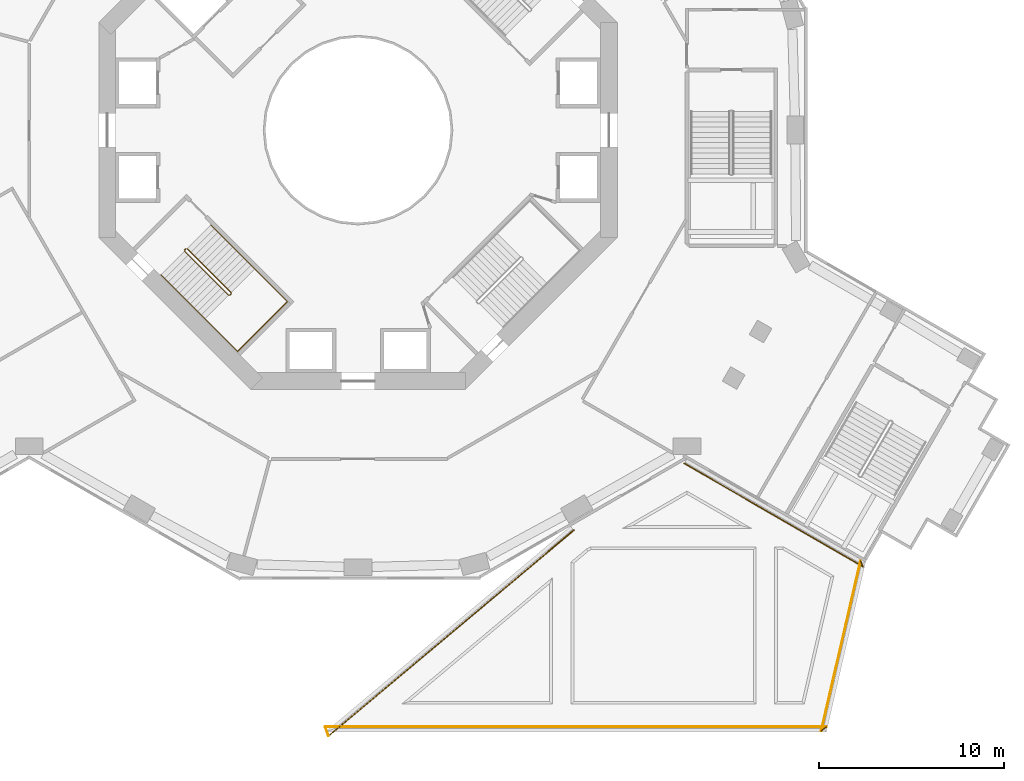
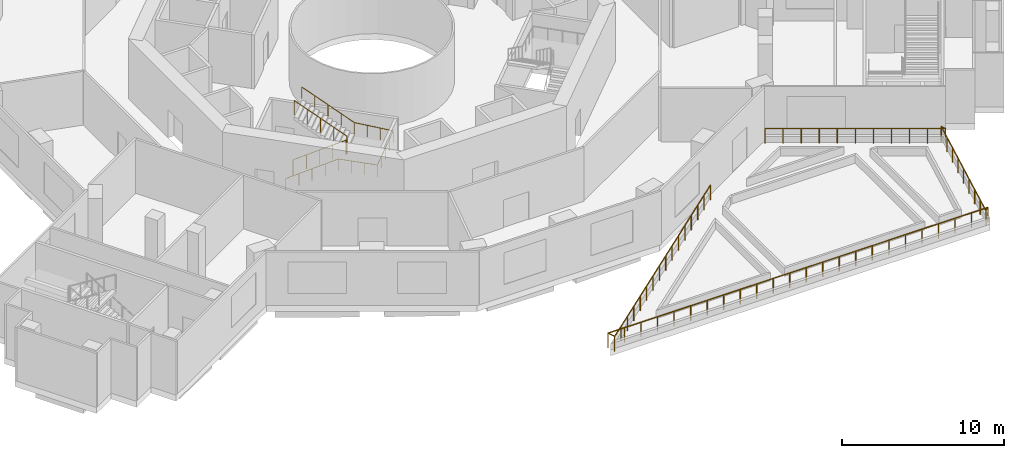
# One storey, part 17 of 21: 9 railings.
"""IFC4 building model written with IfcOpenShell, lengths in metres."""

from ifc_helpers import new_model, si_unit, direction, frame, origin, origin_2d, place, context, subcontext, project, spatial, circle, extrude, material, type_object, element, save


model = new_model("IFC4")

# Units and contexts
model_context = context("Model", 3, precision=1e-05, world=origin(), true_north=direction((0.0, 1.0)))
body_context = subcontext(model_context, "Body", "Model", "MODEL_VIEW")
ifc_project = project(units=[si_unit("LENGTHUNIT", "METRE"), si_unit("AREAUNIT", "SQUARE_METRE"), si_unit("VOLUMEUNIT", "CUBIC_METRE"), si_unit("PLANEANGLEUNIT", "RADIAN"), si_unit("MASSUNIT", "GRAM", prefix="KILO")], contexts=[model_context])

# Site, building, storey
site_placement = place(None, origin())
site = spatial("IfcSite", under=ifc_project, at=site_placement, CompositionType="ELEMENT")
building_placement = place(site_placement, origin())
building = spatial("IfcBuilding", under=site, at=building_placement, Name="Verdalira Terraces Hotel", CompositionType="ELEMENT")
storey_placement = place(building_placement, frame((0.0, 0.0, 19.0)))
storey = spatial("IfcBuildingStorey", under=building, at=storey_placement, Name="L03", CompositionType="ELEMENT", Elevation=19.0)

# Railings
ifc_material_1 = material(Name="Stainless steel", Category="steel")
railing_type_1 = type_object("IfcRailingType", Name="Stair guard 1100", PredefinedType="GUARDRAIL", material=ifc_material_1)
railing_1_placement = place(storey_placement, frame((-9.369141, -6.469971, 0.0)))
element("IfcRailing", 1, at=railing_1_placement, inside=storey, type_object=railing_type_1, Name="L03 ST2 stair guard 1", PredefinedType="GUARDRAIL", context=body_context, shape_type="SweptSolid", body=[
    extrude(circle(Radius=0.023926, at=origin_2d()), frame((0.0, 0.0, 1.076172), z_axis=(0.70832698, 0.705884473, 0.0), x_axis=(-0.705884473, 0.70832698, 0.0)), (0.0, 0.0, 1.0), 0.099854),
    extrude(circle(Radius=0.023926, at=origin_2d()), frame((0.070801, 0.070557, 1.076172), z_axis=(-0.302014195, -0.602986962, 0.738372636), x_axis=(0.894118129, -0.447831187, 0.0)), (0.0, 0.0, 1.0), 0.234375),
    extrude(circle(Radius=0.023926, at=origin_2d()), frame((0.0, -0.070801, 1.249023), z_axis=(0.601505331, -0.601443524, 0.525791806), x_axis=(0.707070449, 0.707143111, 0.0)), (0.0, 0.0, 1.0), 3.949951),
    extrude(circle(Radius=0.023926, at=origin_2d()), frame((2.375977, -2.446533, 3.326172), z_axis=(1.0, 0.0, 0.0), x_axis=(0.0, 1.0, 0.0)), (0.0, 0.0, 1.0), 0.070557),
    extrude(circle(Radius=0.023926, at=origin_2d()), frame((2.446533, -2.446533, 3.326172), z_axis=(0.70832698, 0.705884473, 0.0), x_axis=(-0.705884473, 0.70832698, 0.0)), (0.0, 0.0, 1.0), 0.099854),
    extrude(circle(Radius=0.023926, at=origin_2d()), frame((2.517334, -2.375977, 3.326172), z_axis=(0.0, 0.378582013, 0.92556775), x_axis=(-1.0, 0.0, 0.0)), (0.0, 0.0, 1.0), 0.187012),
    extrude(circle(Radius=0.023926, at=origin_2d()), frame((2.517334, -2.305176, 3.499023), z_axis=(-0.601505331, 0.601443524, 0.525791806), x_axis=(-0.707070449, -0.707143111, 0.0)), (0.0, 0.0, 1.0), 3.949951),
    extrude(circle(Radius=0.020996, at=origin_2d()), origin(), (0.0, 0.0, 1.0), 1.052002),
    extrude(circle(Radius=0.020996, at=origin_2d()), frame((0.070801, 0.070557, 0.0)), (0.0, 0.0, 1.0), 1.052002),
    extrude(circle(Radius=0.020996, at=origin_2d()), frame((0.0, -0.070801, 0.173096)), (0.0, 0.0, 1.0), 1.052002),
    extrude(circle(Radius=0.020996, at=origin_2d()), frame((0.593994, -0.664795, 0.692383)), (0.0, 0.0, 1.0), 1.052002),
    extrude(circle(Radius=0.020996, at=origin_2d()), frame((1.187988, -1.258789, 1.211426)), (0.0, 0.0, 1.0), 1.052002),
    extrude(circle(Radius=0.020996, at=origin_2d()), frame((1.781982, -1.852539, 1.730713)), (0.0, 0.0, 1.0), 1.052002),
    extrude(circle(Radius=0.020996, at=origin_2d()), frame((2.375977, -2.446533, 2.25)), (0.0, 0.0, 1.0), 1.052002),
    extrude(circle(Radius=0.020996, at=origin_2d()), frame((2.446533, -2.446533, 2.25)), (0.0, 0.0, 1.0), 1.052002),
    extrude(circle(Radius=0.020996, at=origin_2d()), frame((2.517334, -2.375977, 2.25)), (0.0, 0.0, 1.0), 1.052002),
    extrude(circle(Radius=0.020996, at=origin_2d()), frame((2.517334, -2.305176, 2.423096)), (0.0, 0.0, 1.0), 1.052002),
    extrude(circle(Radius=0.020996, at=origin_2d()), frame((1.92334, -1.711182, 2.942383)), (0.0, 0.0, 1.0), 1.052002),
    extrude(circle(Radius=0.020996, at=origin_2d()), frame((1.329346, -1.117188, 3.461426)), (0.0, 0.0, 1.0), 1.052002),
    extrude(circle(Radius=0.020996, at=origin_2d()), frame((0.735352, -0.523438, 3.980713)), (0.0, 0.0, 1.0), 1.052002),
    extrude(circle(Radius=0.020996, at=origin_2d()), frame((0.141357, 0.070557, 4.5)), (0.0, 0.0, 1.0), 1.052002),
])
ifc_material_2 = material(Name="Stainless steel", Category="steel")
railing_type_2 = type_object("IfcRailingType", Name="Stair handrail 900", PredefinedType="HANDRAIL", material=ifc_material_2)
railing_2_placement = place(storey_placement, frame((-10.641846, -7.813477, 0.173096)))
element("IfcRailing", 2, at=railing_2_placement, inside=storey, type_object=railing_type_2, Name="L03 ST2 stair handrail 1", PredefinedType="HANDRAIL", context=body_context, shape_type="SweptSolid", body=[
    extrude(circle(Radius=0.023926, at=origin_2d()), frame((0.0, 0.0, 0.875977), z_axis=(0.601443524, -0.601505331, 0.525791806), x_axis=(0.707143111, 0.707070449, 0.0)), (0.0, 0.0, 1.0), 3.949951),
    extrude(circle(Radius=0.023926, at=origin_2d()), frame((2.375732, -2.375977, 2.952637), z_axis=(0.707106781, -0.707106781, 0.0), x_axis=(0.707106781, 0.707106781, 0.0)), (0.0, 0.0, 1.0), 2.48999),
    extrude(circle(Radius=0.023926, at=origin_2d()), frame((4.136475, -4.136719, 2.952637), z_axis=(0.707106781, 0.707106781, 0.0), x_axis=(-0.707106781, 0.707106781, 0.0)), (0.0, 0.0, 1.0), 3.800049),
    extrude(circle(Radius=0.023926, at=origin_2d()), frame((6.823486, -1.449707, 2.952637), z_axis=(-0.705404483, 0.705404483, 0.069347168), x_axis=(-0.707106781, -0.707106781, 0.0)), (0.0, 0.0, 1.0), 2.496094),
    extrude(circle(Radius=0.023926, at=origin_2d()), frame((5.062744, 0.311035, 3.125977), z_axis=(-0.601443524, 0.601505331, 0.525791806), x_axis=(-0.707143111, -0.707070449, 0.0)), (0.0, 0.0, 1.0), 3.949951),
    extrude(circle(Radius=0.020996, at=origin_2d()), origin(), (0.0, 0.0, 1.0), 0.851807),
    extrude(circle(Radius=0.020996, at=origin_2d()), frame((0.593994, -0.593994, 0.519287)), (0.0, 0.0, 1.0), 0.851807),
    extrude(circle(Radius=0.020996, at=origin_2d()), frame((1.187988, -1.187988, 1.038574)), (0.0, 0.0, 1.0), 0.851807),
    extrude(circle(Radius=0.020996, at=origin_2d()), frame((1.781738, -1.781982, 1.557617)), (0.0, 0.0, 1.0), 0.851807),
    extrude(circle(Radius=0.020996, at=origin_2d()), frame((2.375732, -2.375977, 2.076904)), (0.0, 0.0, 1.0), 0.851807),
    extrude(circle(Radius=0.020996, at=origin_2d()), frame((2.962646, -2.962891, 2.076904)), (0.0, 0.0, 1.0), 0.851807),
    extrude(circle(Radius=0.020996, at=origin_2d()), frame((3.549561, -3.549805, 2.076904)), (0.0, 0.0, 1.0), 0.851807),
    extrude(circle(Radius=0.020996, at=origin_2d()), frame((4.136475, -4.136719, 2.076904)), (0.0, 0.0, 1.0), 0.851807),
    extrude(circle(Radius=0.020996, at=origin_2d()), frame((4.808105, -3.464844, 2.076904)), (0.0, 0.0, 1.0), 0.851807),
    extrude(circle(Radius=0.020996, at=origin_2d()), frame((5.47998, -2.793213, 2.076904)), (0.0, 0.0, 1.0), 0.851807),
    extrude(circle(Radius=0.020996, at=origin_2d()), frame((6.151855, -2.121582, 2.076904)), (0.0, 0.0, 1.0), 0.851807),
    extrude(circle(Radius=0.020996, at=origin_2d()), frame((6.823486, -1.449707, 2.076904)), (0.0, 0.0, 1.0), 0.851807),
    extrude(circle(Radius=0.020996, at=origin_2d()), frame((6.236572, -0.862793, 2.134521)), (0.0, 0.0, 1.0), 0.851807),
    extrude(circle(Radius=0.020996, at=origin_2d()), frame((5.649658, -0.275879, 2.192383)), (0.0, 0.0, 1.0), 0.851807),
    extrude(circle(Radius=0.020996, at=origin_2d()), frame((5.062744, 0.311035, 2.25)), (0.0, 0.0, 1.0), 0.851807),
    extrude(circle(Radius=0.020996, at=origin_2d()), frame((4.46875, 0.905029, 2.769287)), (0.0, 0.0, 1.0), 0.851807),
    extrude(circle(Radius=0.020996, at=origin_2d()), frame((3.875, 1.499023, 3.288574)), (0.0, 0.0, 1.0), 0.851807),
    extrude(circle(Radius=0.020996, at=origin_2d()), frame((3.281006, 2.093018, 3.807617)), (0.0, 0.0, 1.0), 0.851807),
    extrude(circle(Radius=0.020996, at=origin_2d()), frame((2.687012, 2.687012, 4.326904)), (0.0, 0.0, 1.0), 0.851807),
])
ifc_material_3 = material(Name="Clear laminated glass", Category="glass")
railing_type_3 = type_object("IfcRailingType", Name="Terrace glass guard 1120", PredefinedType="GUARDRAIL", material=ifc_material_3)
railing_3_placement = place(storey_placement, frame((11.647705, -21.604736, 0.0)))
element("IfcRailing", 3, at=railing_3_placement, inside=storey, type_object=railing_type_3, Name="Terrace guard", PredefinedType="GUARDRAIL", context=body_context, shape_type="SweptSolid", body=[
    extrude(circle(Radius=0.023926, at=origin_2d()), frame((0.0, 0.0, 1.096191), z_axis=(-0.766038963, -0.642794141, 0.0), x_axis=(0.642794141, -0.766038963, 0.0)), (0.0, 0.0, 1.0), 17.283691),
    extrude(circle(Radius=0.020996, at=origin_2d()), origin(), (0.0, 0.0, 1.0), 1.072021),
    extrude(circle(Radius=0.020996, at=origin_2d()), frame((-0.882568, -0.740723, 0.0)), (0.0, 0.0, 1.0), 1.072021),
    extrude(circle(Radius=0.020996, at=origin_2d()), frame((-1.765381, -1.481201, 0.0)), (0.0, 0.0, 1.0), 1.072021),
    extrude(circle(Radius=0.020996, at=origin_2d()), frame((-2.647949, -2.221924, 0.0)), (0.0, 0.0, 1.0), 1.072021),
    extrude(circle(Radius=0.020996, at=origin_2d()), frame((-3.530762, -2.962646, 0.0)), (0.0, 0.0, 1.0), 1.072021),
    extrude(circle(Radius=0.020996, at=origin_2d()), frame((-4.41333, -3.703369, 0.0)), (0.0, 0.0, 1.0), 1.072021),
    extrude(circle(Radius=0.020996, at=origin_2d()), frame((-5.295898, -4.443848, 0.0)), (0.0, 0.0, 1.0), 1.072021),
    extrude(circle(Radius=0.020996, at=origin_2d()), frame((-6.178711, -5.18457, 0.0)), (0.0, 0.0, 1.0), 1.072021),
    extrude(circle(Radius=0.020996, at=origin_2d()), frame((-7.061279, -5.925293, 0.0)), (0.0, 0.0, 1.0), 1.072021),
    extrude(circle(Radius=0.020996, at=origin_2d()), frame((-7.944092, -6.666016, 0.0)), (0.0, 0.0, 1.0), 1.072021),
    extrude(circle(Radius=0.020996, at=origin_2d()), frame((-8.82666, -7.406494, 0.0)), (0.0, 0.0, 1.0), 1.072021),
    extrude(circle(Radius=0.020996, at=origin_2d()), frame((-9.709229, -8.147217, 0.0)), (0.0, 0.0, 1.0), 1.072021),
    extrude(circle(Radius=0.020996, at=origin_2d()), frame((-10.592041, -8.887939, 0.0)), (0.0, 0.0, 1.0), 1.072021),
    extrude(circle(Radius=0.020996, at=origin_2d()), frame((-11.474609, -9.628662, 0.0)), (0.0, 0.0, 1.0), 1.072021),
    extrude(circle(Radius=0.020996, at=origin_2d()), frame((-12.357422, -10.369141, 0.0)), (0.0, 0.0, 1.0), 1.072021),
    extrude(circle(Radius=0.020996, at=origin_2d()), frame((-13.23999, -11.109863, 0.0)), (0.0, 0.0, 1.0), 1.072021),
])
railing_4_placement = place(storey_placement, frame((-1.592285, -32.7146, 0.0)))
element("IfcRailing", 4, at=railing_4_placement, inside=storey, type_object=railing_type_3, Name="Terrace guard", PredefinedType="GUARDRAIL", context=body_context, shape_type="SweptSolid", body=[
    extrude(circle(Radius=0.023926, at=origin_2d()), frame((0.0, 0.0, 1.096191), z_axis=(-0.342264332, 0.939603708, 0.0), x_axis=(-0.939603708, -0.342264332, 0.0)), (0.0, 0.0, 1.0), 0.526367),
    extrude(circle(Radius=0.020996, at=origin_2d()), origin(), (0.0, 0.0, 1.0), 1.072021),
    extrude(circle(Radius=0.020996, at=origin_2d()), frame((-0.180176, 0.494629, 0.0)), (0.0, 0.0, 1.0), 1.072021),
])
railing_5_placement = place(storey_placement, frame((-1.772461, -32.219971, 0.0)))
element("IfcRailing", 5, at=railing_5_placement, inside=storey, type_object=railing_type_3, Name="Terrace guard", PredefinedType="GUARDRAIL", context=body_context, shape_type="SweptSolid", body=[
    extrude(circle(Radius=0.023926, at=origin_2d()), frame((0.0, 0.0, 1.096191), z_axis=(1.0, 0.0, 0.0), x_axis=(0.0, 1.0, 0.0)), (0.0, 0.0, 1.0), 27.059326),
    extrude(circle(Radius=0.020996, at=origin_2d()), origin(), (0.0, 0.0, 1.0), 1.072021),
    extrude(circle(Radius=0.020996, at=origin_2d()), frame((1.176514, 0.0, 0.0)), (0.0, 0.0, 1.0), 1.072021),
    extrude(circle(Radius=0.020996, at=origin_2d()), frame((2.353027, 0.0, 0.0)), (0.0, 0.0, 1.0), 1.072021),
    extrude(circle(Radius=0.020996, at=origin_2d()), frame((3.529541, 0.0, 0.0)), (0.0, 0.0, 1.0), 1.072021),
    extrude(circle(Radius=0.020996, at=origin_2d()), frame((4.706055, 0.0, 0.0)), (0.0, 0.0, 1.0), 1.072021),
    extrude(circle(Radius=0.020996, at=origin_2d()), frame((5.882568, 0.0, 0.0)), (0.0, 0.0, 1.0), 1.072021),
    extrude(circle(Radius=0.020996, at=origin_2d()), frame((7.058838, 0.0, 0.0)), (0.0, 0.0, 1.0), 1.072021),
    extrude(circle(Radius=0.020996, at=origin_2d()), frame((8.235352, 0.0, 0.0)), (0.0, 0.0, 1.0), 1.072021),
    extrude(circle(Radius=0.020996, at=origin_2d()), frame((9.411865, 0.0, 0.0)), (0.0, 0.0, 1.0), 1.072021),
    extrude(circle(Radius=0.020996, at=origin_2d()), frame((10.588379, 0.0, 0.0)), (0.0, 0.0, 1.0), 1.072021),
    extrude(circle(Radius=0.020996, at=origin_2d()), frame((11.764893, 0.0, 0.0)), (0.0, 0.0, 1.0), 1.072021),
    extrude(circle(Radius=0.020996, at=origin_2d()), frame((12.941406, 0.0, 0.0)), (0.0, 0.0, 1.0), 1.072021),
    extrude(circle(Radius=0.020996, at=origin_2d()), frame((14.11792, 0.0, 0.0)), (0.0, 0.0, 1.0), 1.072021),
    extrude(circle(Radius=0.020996, at=origin_2d()), frame((15.294434, 0.0, 0.0)), (0.0, 0.0, 1.0), 1.072021),
    extrude(circle(Radius=0.020996, at=origin_2d()), frame((16.470947, 0.0, 0.0)), (0.0, 0.0, 1.0), 1.072021),
    extrude(circle(Radius=0.020996, at=origin_2d()), frame((17.647461, 0.0, 0.0)), (0.0, 0.0, 1.0), 1.072021),
    extrude(circle(Radius=0.020996, at=origin_2d()), frame((18.823975, 0.0, 0.0)), (0.0, 0.0, 1.0), 1.072021),
    extrude(circle(Radius=0.020996, at=origin_2d()), frame((20.000488, 0.0, 0.0)), (0.0, 0.0, 1.0), 1.072021),
    extrude(circle(Radius=0.020996, at=origin_2d()), frame((21.176758, 0.0, 0.0)), (0.0, 0.0, 1.0), 1.072021),
    extrude(circle(Radius=0.020996, at=origin_2d()), frame((22.353271, 0.0, 0.0)), (0.0, 0.0, 1.0), 1.072021),
    extrude(circle(Radius=0.020996, at=origin_2d()), frame((23.529785, 0.0, 0.0)), (0.0, 0.0, 1.0), 1.072021),
    extrude(circle(Radius=0.020996, at=origin_2d()), frame((24.706299, 0.0, 0.0)), (0.0, 0.0, 1.0), 1.072021),
    extrude(circle(Radius=0.020996, at=origin_2d()), frame((25.882812, 0.0, 0.0)), (0.0, 0.0, 1.0), 1.072021),
    extrude(circle(Radius=0.020996, at=origin_2d()), frame((27.059326, 0.0, 0.0)), (0.0, 0.0, 1.0), 1.072021),
])
railing_6_placement = place(storey_placement, frame((25.286865, -32.219971, 0.0)))
element("IfcRailing", 6, at=railing_6_placement, inside=storey, type_object=railing_type_3, Name="Terrace guard", PredefinedType="GUARDRAIL", context=body_context, shape_type="SweptSolid", body=[
    extrude(circle(Radius=0.023926, at=origin_2d()), frame((0.0, 0.0, 1.096191), z_axis=(-0.78243815, -0.622728304, 0.0), x_axis=(0.622728304, -0.78243815, 0.0)), (0.0, 0.0, 1.0), 0.348633),
    extrude(circle(Radius=0.020996, at=origin_2d()), origin(), (0.0, 0.0, 1.0), 1.072021),
    extrude(circle(Radius=0.020996, at=origin_2d()), frame((-0.272705, -0.217041, 0.0)), (0.0, 0.0, 1.0), 1.072021),
])
railing_7_placement = place(storey_placement, frame((25.01416, -32.437012, 0.0)))
element("IfcRailing", 7, at=railing_7_placement, inside=storey, type_object=railing_type_3, Name="Terrace guard", PredefinedType="GUARDRAIL", context=body_context, shape_type="SweptSolid", body=[
    extrude(circle(Radius=0.023926, at=origin_2d()), frame((0.0, 0.0, 1.096191), z_axis=(0.225262968, 0.974298001, 0.0), x_axis=(-0.974298001, 0.225262968, 0.0)), (0.0, 0.0, 1.0), 9.412842),
    extrude(circle(Radius=0.020996, at=origin_2d()), origin(), (0.0, 0.0, 1.0), 1.072021),
    extrude(circle(Radius=0.020996, at=origin_2d()), frame((0.265137, 1.146484, 0.0)), (0.0, 0.0, 1.0), 1.072021),
    extrude(circle(Radius=0.020996, at=origin_2d()), frame((0.530029, 2.292725, 0.0)), (0.0, 0.0, 1.0), 1.072021),
    extrude(circle(Radius=0.020996, at=origin_2d()), frame((0.795166, 3.438965, 0.0)), (0.0, 0.0, 1.0), 1.072021),
    extrude(circle(Radius=0.020996, at=origin_2d()), frame((1.060059, 4.585449, 0.0)), (0.0, 0.0, 1.0), 1.072021),
    extrude(circle(Radius=0.020996, at=origin_2d()), frame((1.325195, 5.731934, 0.0)), (0.0, 0.0, 1.0), 1.072021),
    extrude(circle(Radius=0.020996, at=origin_2d()), frame((1.590332, 6.878174, 0.0)), (0.0, 0.0, 1.0), 1.072021),
    extrude(circle(Radius=0.020996, at=origin_2d()), frame((1.855225, 8.024414, 0.0)), (0.0, 0.0, 1.0), 1.072021),
    extrude(circle(Radius=0.020996, at=origin_2d()), frame((2.120361, 9.170898, 0.0)), (0.0, 0.0, 1.0), 1.072021),
])
railing_8_placement = place(storey_placement, frame((27.134521, -23.266113, 0.0)))
element("IfcRailing", 8, at=railing_8_placement, inside=storey, type_object=railing_type_3, Name="Terrace guard", PredefinedType="GUARDRAIL", context=body_context, shape_type="SweptSolid", body=[
    extrude(circle(Radius=0.023926, at=origin_2d()), frame((0.0, 0.0, 1.096191), z_axis=(0.398511807, -0.917163202, 0.0), x_axis=(0.917163202, 0.398511807, 0.0)), (0.0, 0.0, 1.0), 0.333252),
    extrude(circle(Radius=0.020996, at=origin_2d()), origin(), (0.0, 0.0, 1.0), 1.072021),
    extrude(circle(Radius=0.020996, at=origin_2d()), frame((0.132812, -0.305664, 0.0)), (0.0, 0.0, 1.0), 1.072021),
])
railing_9_placement = place(storey_placement, frame((27.267334, -23.571777, 0.0)))
element("IfcRailing", 9, at=railing_9_placement, inside=storey, type_object=railing_type_3, Name="Terrace guard", PredefinedType="GUARDRAIL", context=body_context, shape_type="SweptSolid", body=[
    extrude(circle(Radius=0.023926, at=origin_2d()), frame((0.0, 0.0, 1.096191), z_axis=(-0.86601627, 0.50001582, 0.0), x_axis=(-0.50001582, -0.86601627, 0.0)), (0.0, 0.0, 1.0), 11.141846),
    extrude(circle(Radius=0.020996, at=origin_2d()), origin(), (0.0, 0.0, 1.0), 1.072021),
    extrude(circle(Radius=0.020996, at=origin_2d()), frame((-0.964844, 0.557129, 0.0)), (0.0, 0.0, 1.0), 1.072021),
    extrude(circle(Radius=0.020996, at=origin_2d()), frame((-1.929688, 1.114258, 0.0)), (0.0, 0.0, 1.0), 1.072021),
    extrude(circle(Radius=0.020996, at=origin_2d()), frame((-2.894775, 1.671387, 0.0)), (0.0, 0.0, 1.0), 1.072021),
    extrude(circle(Radius=0.020996, at=origin_2d()), frame((-3.859619, 2.228516, 0.0)), (0.0, 0.0, 1.0), 1.072021),
    extrude(circle(Radius=0.020996, at=origin_2d()), frame((-4.824463, 2.785645, 0.0)), (0.0, 0.0, 1.0), 1.072021),
    extrude(circle(Radius=0.020996, at=origin_2d()), frame((-5.789307, 3.342529, 0.0)), (0.0, 0.0, 1.0), 1.072021),
    extrude(circle(Radius=0.020996, at=origin_2d()), frame((-6.75415, 3.899658, 0.0)), (0.0, 0.0, 1.0), 1.072021),
    extrude(circle(Radius=0.020996, at=origin_2d()), frame((-7.719238, 4.456787, 0.0)), (0.0, 0.0, 1.0), 1.072021),
    extrude(circle(Radius=0.020996, at=origin_2d()), frame((-8.684082, 5.013916, 0.0)), (0.0, 0.0, 1.0), 1.072021),
    extrude(circle(Radius=0.020996, at=origin_2d()), frame((-9.648926, 5.571045, 0.0)), (0.0, 0.0, 1.0), 1.072021),
])

save(model, "model.ifc")
